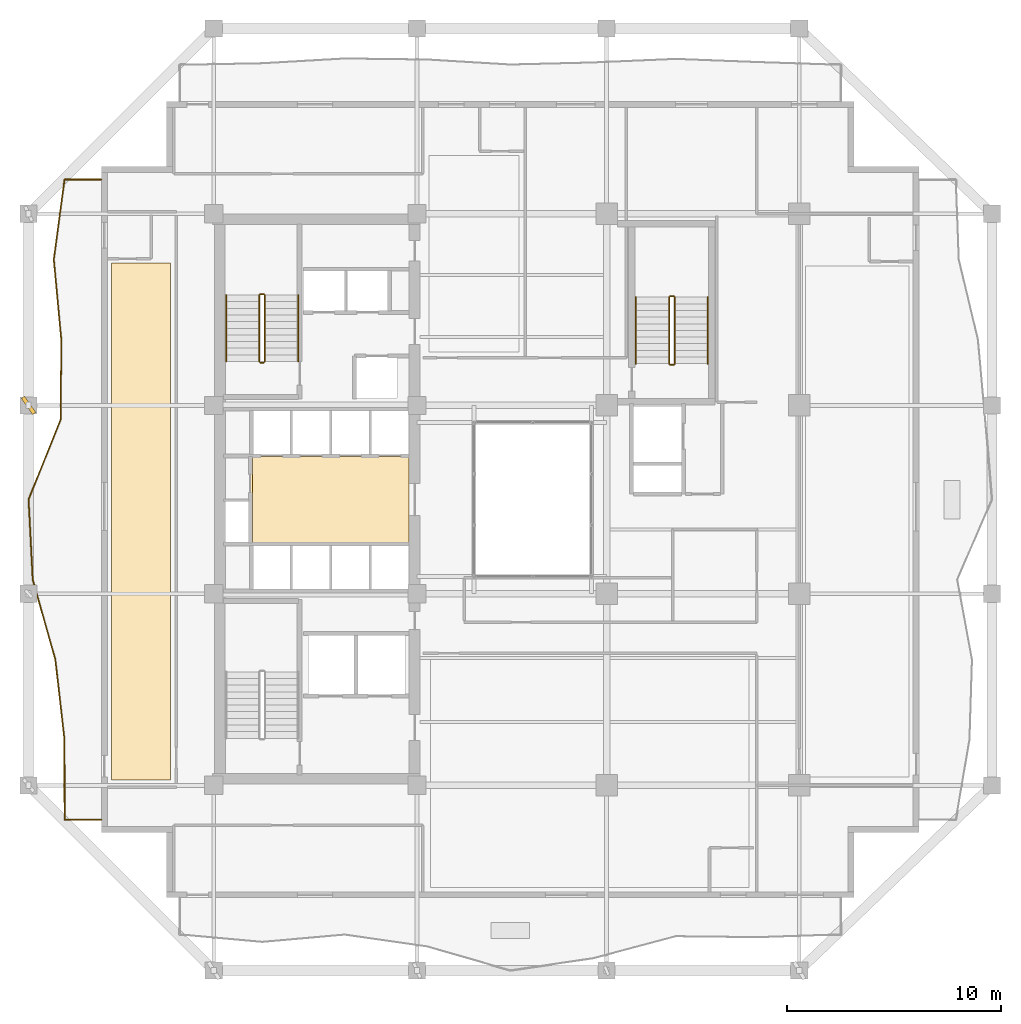
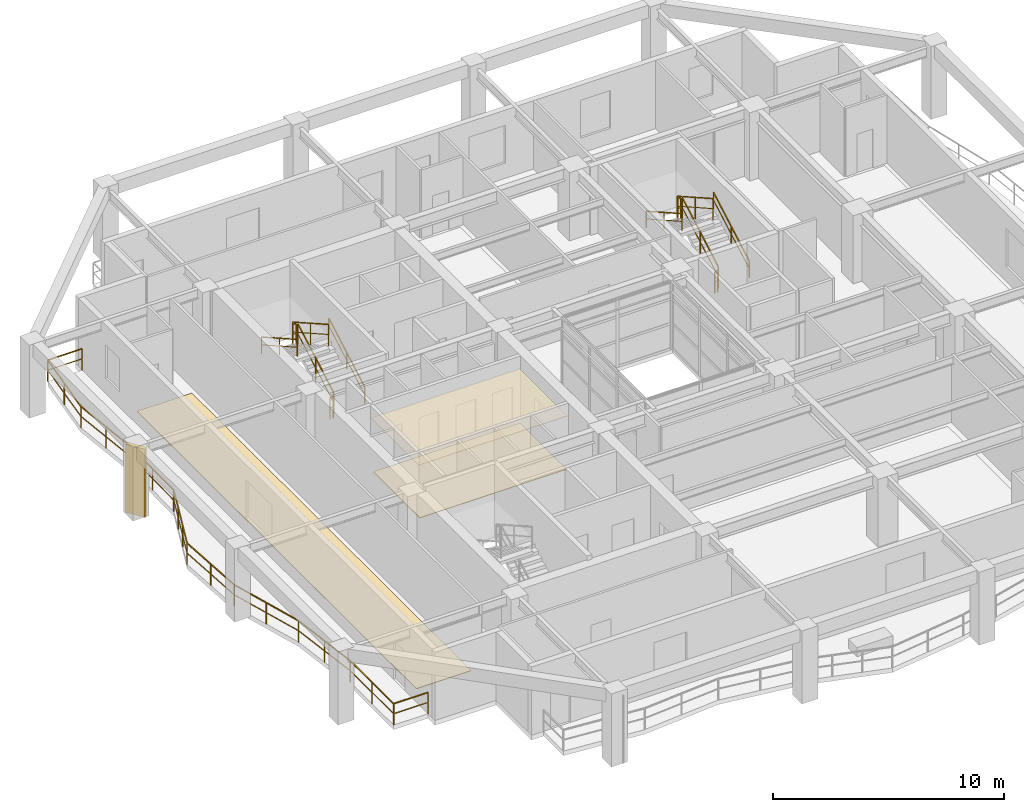
# One storey, part 12 of 14: 13 railings, 3 coverings, 1 shading device.
"""IFC4 building model written with IfcOpenShell, lengths in metres."""

import ifcopenshell
import ifcopenshell.guid

model = None  # the IFC model being written
_history = None  # IfcOwnerHistory: only IFC2X3 demands one
_inside = {}  # id of a spatial element -> (the spatial element, [elements in it])
_under = {}  # id of a project, library or spatial element -> (it, [spatial elements below it])
_declared = {}  # id of a project -> (the project, [libraries it declares])
_typed = {}  # id of a type object -> (the type object, [elements of that type])
_made_of = {}  # id of a material, layer set ... -> (it, [elements and type objects made of it])


def new_model(schema):
    """Start an empty IFC model of exactly this schema.

    Asked for "IFC4X3", IfcOpenShell would pick the latest addendum, in which some entities
    have other attributes; the version numbers below select the first issue.
    IFC2X3 requires an IfcOwnerHistory on every rooted entity: one is made here for all.
    """
    global model, _history
    if schema == "IFC4X3":
        model = ifcopenshell.file(schema_version=(4, 3, 0, 0))
    else:
        model = ifcopenshell.file(schema=schema)
    _inside.clear()
    _under.clear()
    _declared.clear()
    _typed.clear()
    _made_of.clear()
    _history = None
    if model.schema == "IFC2X3":
        org = make("IfcOrganization", Name="unknown")
        user = make(
            "IfcPersonAndOrganization",
            ThePerson=make("IfcPerson", FamilyName="unknown"),
            TheOrganization=org,
        )
        app = make(
            "IfcApplication",
            ApplicationDeveloper=org,
            Version="unknown",
            ApplicationFullName="unknown",
            ApplicationIdentifier="unknown",
        )
        _history = make(
            "IfcOwnerHistory",
            OwningUser=user,
            OwningApplication=app,
            ChangeAction="ADDED",
            CreationDate=0,
        )
    return model


def make(cls, **values):
    """One entity of the class cls with the attributes given. An attribute that is None is left unset."""
    return model.create_entity(
        cls, **{name: value for name, value in values.items() if value is not None}
    )


def rooted(cls, **values):
    """An entity with a GlobalId (a new one), such as an element, a storey or a relation."""
    return make(cls, GlobalId=ifcopenshell.guid.new(), OwnerHistory=_history, **values)


def si_unit(unit_type, name, prefix=None):
    """IfcSIUnit, for example si_unit("LENGTHUNIT", "METRE", prefix="MILLI")."""
    return make("IfcSIUnit", UnitType=unit_type, Prefix=prefix, Name=name)


def assignment(units):
    """IfcUnitAssignment: the units of a project."""
    return None if units is None else make("IfcUnitAssignment", Units=units)


def point(xyz):
    """IfcCartesianPoint."""
    return None if xyz is None else make("IfcCartesianPoint", Coordinates=xyz)


def direction(xyz):
    """IfcDirection."""
    return None if xyz is None else make("IfcDirection", DirectionRatios=xyz)


def frame(location, z_axis=None, x_axis=None):
    """IfcAxis2Placement3D, a coordinate frame: its origin and axes. An axis left out is left unset."""
    return make(
        "IfcAxis2Placement3D",
        Location=point(location),
        Axis=direction(z_axis),
        RefDirection=direction(x_axis),
    )


def frame_2d(location, x_axis=None):
    """IfcAxis2Placement2D, a coordinate frame in the plane: its origin and x axis."""
    return make(
        "IfcAxis2Placement2D", Location=point(location), RefDirection=direction(x_axis)
    )


def origin():
    """The frame at (0, 0, 0) with its axes left unset."""
    return frame((0.0, 0.0, 0.0))


def origin_2d():
    """The frame at (0, 0) in the plane with its x axis left unset."""
    return frame_2d((0.0, 0.0))


def place(relative_to, where):
    """IfcLocalPlacement: puts the frame where relative to a parent placement (None: the world)."""
    return make(
        "IfcLocalPlacement", PlacementRelTo=relative_to, RelativePlacement=where
    )


def context(
    kind, dimensions, precision=None, world=None, true_north=None, identifier=None
):
    """IfcGeometricRepresentationContext, for example the 3D "Model" context."""
    return make(
        "IfcGeometricRepresentationContext",
        ContextIdentifier=identifier,
        ContextType=kind,
        CoordinateSpaceDimension=dimensions,
        Precision=precision,
        WorldCoordinateSystem=world,
        TrueNorth=true_north,
    )


def subcontext(parent, identifier, kind, view, scale=None):
    """IfcGeometricRepresentationSubContext, for example "Body" below "Model"."""
    return make(
        "IfcGeometricRepresentationSubContext",
        ContextIdentifier=identifier,
        ContextType=kind,
        ParentContext=parent,
        TargetScale=scale,
        TargetView=view,
    )


def project(units=None, contexts=None):
    """IfcProject with its units and contexts."""
    return rooted(
        "IfcProject",
        Name="project",
        RepresentationContexts=contexts,
        UnitsInContext=assignment(units),
    )


def spatial(cls, under=None, at=None, **own):
    """A site, building, storey or space (cls), placed at a placement, below another one or the project."""
    s = rooted(cls, ObjectPlacement=at, **own)
    if under is not None:
        _under.setdefault(under.id(), (under, []))[1].append(s)
    return s


def polyline(points):
    """IfcPolyline through the points."""
    return make("IfcPolyline", Points=[point(p) for p in points])


def profile(cls, at=None, kind="AREA", **sizes):
    """A parametric profile (cls). Its sizes go by their IFC names, for example OverallWidth=200.0."""
    return make(cls, ProfileType=kind, Position=at, **sizes)


def rectangle(**sizes):
    """IfcRectangleProfileDef."""
    return profile("IfcRectangleProfileDef", **sizes)


def outline(outer, holes=None, kind="AREA"):
    """IfcArbitraryClosedProfileDef: a profile drawn as a closed curve; with holes, ...WithVoids."""
    if holes is None:
        return make("IfcArbitraryClosedProfileDef", ProfileType=kind, OuterCurve=outer)
    return make(
        "IfcArbitraryProfileDefWithVoids",
        ProfileType=kind,
        OuterCurve=outer,
        InnerCurves=holes,
    )


def extrude(swept, where, along, depth):
    """IfcExtrudedAreaSolid: the profile swept, set in the frame where, extruded along a direction by depth."""
    return make(
        "IfcExtrudedAreaSolid",
        SweptArea=swept,
        Position=where,
        ExtrudedDirection=direction(along),
        Depth=depth,
    )


def shape(context_of_items, identifier, shape_type, items):
    """IfcShapeRepresentation: the items that make up one representation, for example the "Body"."""
    return make(
        "IfcShapeRepresentation",
        ContextOfItems=context_of_items,
        RepresentationIdentifier=identifier,
        RepresentationType=shape_type,
        Items=items,
    )


def material(Name=None, Category=None):
    """IfcMaterial."""
    return make("IfcMaterial", Name=Name, Category=Category)


def layer(
    of_material, thickness, ventilated=None, Name=None, Category=None, Priority=None
):
    """IfcMaterialLayer: one layer of a wall or slab, of a material (None: an air gap)."""
    return make(
        "IfcMaterialLayer",
        Material=of_material,
        LayerThickness=thickness,
        IsVentilated=ventilated,
        Name=Name,
        Category=Category,
        Priority=Priority,
    )


def layer_set(layers, Name=None):
    """IfcMaterialLayerSet."""
    return make("IfcMaterialLayerSet", MaterialLayers=layers, LayerSetName=Name)


def made_of(thing, what):
    """Note that an element or type object is made of a material, layer set ...; save() writes the relation."""
    if what is not None:
        _made_of.setdefault(what.id(), (what, []))[1].append(thing)
    return thing


def type_object(cls, material=None, **own):
    """A type object (cls), such as IfcWallType, which elements share."""
    return made_of(rooted(cls, **own), material)


def element(
    cls,
    number,
    at=None,
    inside=None,
    cuts=None,
    type_object=None,
    material=None,
    context=None,
    identifier="Body",
    shape_type=None,
    held_by="IfcProductDefinitionShape",
    body=None,
    shapes=None,
    **own,
):
    """One element of the class cls, such as IfcWall. Its Tag is "e" and its number.

    at: its placement. inside: the storey or other place that contains it. cuts: it is an
    opening in that element (IfcRelVoidsElement). A single representation is given by context,
    identifier, shape_type and body (its items); several are given by shapes. held_by: the class
    of the entity that holds the representations. save() writes the other relations.
    """
    e = rooted(cls, Tag="e%d" % number, ObjectPlacement=at, **own)
    if body is not None:
        shapes = [shape(context, identifier, shape_type, body)]
    if shapes is not None:
        e.Representation = make(held_by, Representations=shapes)
    if inside is not None:
        _inside.setdefault(inside.id(), (inside, []))[1].append(e)
    if cuts is not None:
        rooted(
            "IfcRelVoidsElement", RelatingBuildingElement=cuts, RelatedOpeningElement=e
        )
    if type_object is not None:
        _typed.setdefault(type_object.id(), (type_object, []))[1].append(e)
    return made_of(e, material)


def aggregate(whole, parts):
    """IfcRelAggregates: a whole, such as a stair, and the parts it consists of."""
    return rooted("IfcRelAggregates", RelatingObject=whole, RelatedObjects=parts)


def save(model, path):
    """Write the relations noted so far, then the file.

    IfcRelAggregates (storeys below a building ...), IfcRelContainedInSpatialStructure (elements
    in a storey), IfcRelDefinesByType, IfcRelAssociatesMaterial and IfcRelDeclares: one each for
    every whole, place, type object, material and project.
    """
    for whole, parts in _under.values():
        aggregate(whole, parts)
    for where, things in _inside.values():
        rooted(
            "IfcRelContainedInSpatialStructure",
            RelatedElements=things,
            RelatingStructure=where,
        )
    for kind, things in _typed.values():
        rooted("IfcRelDefinesByType", RelatedObjects=things, RelatingType=kind)
    for what, things in _made_of.values():
        rooted("IfcRelAssociatesMaterial", RelatedObjects=things, RelatingMaterial=what)
    for by, libraries in _declared.values():
        rooted("IfcRelDeclares", RelatingContext=by, RelatedDefinitions=libraries)
    model.write(path)


model = new_model("IFC4")

# Units and contexts
model_context = context("Model", 3, precision=1e-05, world=origin(), true_north=direction((0.0, 1.0)))
body_context = subcontext(model_context, "Body", "Model", "MODEL_VIEW")
ifc_project = project(units=[si_unit("LENGTHUNIT", "METRE"), si_unit("AREAUNIT", "SQUARE_METRE"), si_unit("VOLUMEUNIT", "CUBIC_METRE"), si_unit("PLANEANGLEUNIT", "RADIAN"), si_unit("MASSUNIT", "GRAM", prefix="KILO")], contexts=[model_context])

# Site, building, storey
site_placement = place(None, origin())
site = spatial("IfcSite", under=ifc_project, at=site_placement, CompositionType="ELEMENT")
building_placement = place(site_placement, origin())
building = spatial("IfcBuilding", under=site, at=building_placement, Name="Kundavana Baori Tower", CompositionType="ELEMENT")
storey_placement = place(building_placement, frame((0.0, 0.0, 104.0)))
storey = spatial("IfcBuildingStorey", under=building, at=storey_placement, Name="L24", CompositionType="ELEMENT", Elevation=104.0)

# Coverings
ifc_material_1 = material(Name="Perforated Acoustic Mineral Fibre Ceiling Board")
ifc_layer_1 = layer(ifc_material_1, 0.02490234375, Name="COV-INT-CEIL")
ifc_layer_set_1 = layer_set([ifc_layer_1], Name="Perforated Acoustic Mineral Fibre Ceiling Board")
covering_type_1 = type_object("IfcCoveringType", Name="COV-INT-CEIL", PredefinedType="CEILING", material=ifc_layer_set_1)
covering_1_placement = place(storey_placement, frame((0.0, 0.0, 2.85009765625)))
element("IfcCovering", 1, at=covering_1_placement, inside=storey, type_object=covering_type_1, Name="L24 Core Lift Lobby Acoustic Ceiling", PredefinedType="CEILING", context=body_context, shape_type="SweptSolid", body=[
    extrude(outline(polyline([(17.159912109375, 26.52001953125), (24.580078125, 26.52001953125), (24.580078125, 30.639892578125), (17.159912109375, 30.639892578125), (17.159912109375, 26.52001953125)])), origin(), (0.0, 0.0, 1.0), 0.02490234375),
])
ifc_material_2 = material(Name="Honed Kota Stone and Terrazzo Flooring", Category="masonry")
ifc_layer_2 = layer(ifc_material_2, 0.030029296875, Name="COV-INT-FLR")
ifc_layer_set_2 = layer_set([ifc_layer_2], Name="Honed Kota Stone and Terrazzo Flooring")
covering_type_2 = type_object("IfcCoveringType", Name="COV-INT-FLR", PredefinedType="FLOORING", material=ifc_layer_set_2)
covering_2_placement = place(storey_placement, origin())
element("IfcCovering", 2, at=covering_2_placement, inside=storey, type_object=covering_type_2, Name="L24 Room Finished Stone Flooring 1", PredefinedType="FLOORING", context=body_context, shape_type="SweptSolid", body=[
    extrude(outline(polyline([(10.679931640625, 15.5), (13.419921875, 15.5), (13.419921875, 39.64990234375), (10.679931640625, 39.64990234375), (10.679931640625, 15.5)])), origin(), (0.0, 0.0, 1.0), 0.030029296875),
])
covering_3_placement = place(storey_placement, origin())
element("IfcCovering", 3, at=covering_3_placement, inside=storey, type_object=covering_type_2, Name="L24 Core Lift Lobby Kota Stone Flooring", PredefinedType="FLOORING", context=body_context, shape_type="SweptSolid", body=[
    extrude(outline(polyline([(17.25, 26.580078125), (24.580078125, 26.580078125), (24.580078125, 30.60009765625), (17.25, 30.60009765625), (17.25, 26.580078125)])), origin(), (0.0, 0.0, 1.0), 0.030029296875),
])

# Railings
ifc_material_3 = material(Name="Architectural Patinated Bronze Metalwork")
railing_type_1 = type_object("IfcRailingType", Name="RL-BAL-1150", PredefinedType="BALUSTRADE", material=ifc_material_3)
railing_1_placement = place(storey_placement, frame((10.199951171875, 13.64990234375, 0.0)))
element("IfcRailing", 4, at=railing_1_placement, inside=storey, type_object=railing_type_1, Name="L24 Loggia Balcony Balustrade W", PredefinedType="BALUSTRADE", context=body_context, shape_type="SweptSolid", body=[
    extrude(rectangle(XDim=0.048095703125, YDim=0.048095703125, at=origin_2d()), frame((0.0, 0.0, 1.1259765625), z_axis=(-1.0, 0.0, 0.0), x_axis=(0.0, -1.0, 0.0)), (0.0, 0.0, 1.0), 1.719970703125),
    extrude(rectangle(XDim=0.03125, YDim=0.03125, at=origin_2d()), frame((0.0, 0.0, 0.597900390625), z_axis=(-1.0, 0.0, 0.0), x_axis=(0.0, -1.0, 0.0)), (0.0, 0.0, 1.0), 1.719970703125),
    extrude(rectangle(XDim=0.048095703125, YDim=0.048095703125, at=origin_2d()), frame((-1.719970703125, 0.0, 1.1259765625), z_axis=(-0.000783954812, 0.999999692707, 0.0), x_axis=(-0.999999692707, -0.000783954812, 0.0)), (0.0, 0.0, 1.0), 3.737060546875),
    extrude(rectangle(XDim=0.03125, YDim=0.03125, at=origin_2d()), frame((-1.719970703125, 0.0, 0.597900390625), z_axis=(-0.000783954812, 0.999999692707, 0.0), x_axis=(-0.999999692707, -0.000783954812, 0.0)), (0.0, 0.0, 1.0), 3.737060546875),
    extrude(rectangle(XDim=0.048095703125, YDim=0.048095703125, at=origin_2d()), frame((-1.722900390625, 3.737060546875, 1.1259765625), z_axis=(-0.113749725155, 0.993509436305, 0.0), x_axis=(-0.993509436305, -0.113749725155, 0.0)), (0.0, 0.0, 1.0), 3.762451171875),
    extrude(rectangle(XDim=0.03125, YDim=0.03125, at=origin_2d()), frame((-1.722900390625, 3.737060546875, 0.597900390625), z_axis=(-0.113749725155, 0.993509436305, 0.0), x_axis=(-0.993509436305, -0.113749725155, 0.0)), (0.0, 0.0, 1.0), 3.762451171875),
    extrude(rectangle(XDim=0.048095703125, YDim=0.048095703125, at=origin_2d()), frame((-2.15087890625, 7.47509765625, 1.1259765625), z_axis=(-0.271730440322, 0.96237340352, 0.0), x_axis=(-0.96237340352, -0.271730440322, 0.0)), (0.0, 0.0, 1.0), 3.883056640625),
    extrude(rectangle(XDim=0.03125, YDim=0.03125, at=origin_2d()), frame((-2.15087890625, 7.47509765625, 0.597900390625), z_axis=(-0.271730440322, 0.96237340352, 0.0), x_axis=(-0.96237340352, -0.271730440322, 0.0)), (0.0, 0.0, 1.0), 3.883056640625),
    extrude(rectangle(XDim=0.048095703125, YDim=0.048095703125, at=origin_2d()), frame((-3.2060546875, 11.212158203125, 1.1259765625), z_axis=(-0.051788551345, 0.99865807259, 0.0), x_axis=(-0.99865807259, -0.051788551345, 0.0)), (0.0, 0.0, 1.0), 3.7431640625),
    extrude(rectangle(XDim=0.03125, YDim=0.03125, at=origin_2d()), frame((-3.2060546875, 11.212158203125, 0.597900390625), z_axis=(-0.051788551345, 0.99865807259, 0.0), x_axis=(-0.99865807259, -0.051788551345, 0.0)), (0.0, 0.0, 1.0), 3.7431640625),
    extrude(rectangle(XDim=0.048095703125, YDim=0.048095703125, at=origin_2d()), frame((-3.39990234375, 14.9501953125, 1.1259765625), z_axis=(0.37251940051, 0.928024404983, 0.0), x_axis=(-0.928024404983, 0.37251940051, 0.0)), (0.0, 0.0, 1.0), 4.026611328125),
    extrude(rectangle(XDim=0.03125, YDim=0.03125, at=origin_2d()), frame((-3.39990234375, 14.9501953125, 0.597900390625), z_axis=(0.37251940051, 0.928024404983, 0.0), x_axis=(-0.928024404983, 0.37251940051, 0.0)), (0.0, 0.0, 1.0), 4.026611328125),
    extrude(rectangle(XDim=0.048095703125, YDim=0.048095703125, at=origin_2d()), frame((-1.89990234375, 18.68701171875, 1.1259765625), z_axis=(0.006922961258, 0.999976036017, 0.0), x_axis=(-0.999976036017, 0.006922961258, 0.0)), (0.0, 0.0, 1.0), 3.738037109375),
    extrude(rectangle(XDim=0.03125, YDim=0.03125, at=origin_2d()), frame((-1.89990234375, 18.68701171875, 0.597900390625), z_axis=(0.006922961258, 0.999976036017, 0.0), x_axis=(-0.999976036017, 0.006922961258, 0.0)), (0.0, 0.0, 1.0), 3.738037109375),
    extrude(rectangle(XDim=0.048095703125, YDim=0.048095703125, at=origin_2d()), frame((-1.8740234375, 22.425048828125, 1.1259765625), z_axis=(-0.092951806383, 0.995670609032, 0.0), x_axis=(-0.995670609032, -0.092951806383, 0.0)), (0.0, 0.0, 1.0), 3.75341796875),
    extrude(rectangle(XDim=0.03125, YDim=0.03125, at=origin_2d()), frame((-1.8740234375, 22.425048828125, 0.597900390625), z_axis=(-0.092951806383, 0.995670609032, 0.0), x_axis=(-0.995670609032, -0.092951806383, 0.0)), (0.0, 0.0, 1.0), 3.75341796875),
    extrude(rectangle(XDim=0.048095703125, YDim=0.048095703125, at=origin_2d()), frame((-2.222900390625, 26.162109375, 1.1259765625), z_axis=(0.13334232144, 0.991070040569, 0.0), x_axis=(-0.991070040569, 0.13334232144, 0.0)), (0.0, 0.0, 1.0), 3.771728515625),
    extrude(rectangle(XDim=0.03125, YDim=0.03125, at=origin_2d()), frame((-2.222900390625, 26.162109375, 0.597900390625), z_axis=(0.13334232144, 0.991070040569, 0.0), x_axis=(-0.991070040569, 0.13334232144, 0.0)), (0.0, 0.0, 1.0), 3.771728515625),
    extrude(rectangle(XDim=0.048095703125, YDim=0.048095703125, at=origin_2d()), frame((-1.719970703125, 29.900146484375, 1.1259765625), z_axis=(1.0, 0.0, 0.0), x_axis=(0.0, 1.0, 0.0)), (0.0, 0.0, 1.0), 1.719970703125),
    extrude(rectangle(XDim=0.03125, YDim=0.03125, at=origin_2d()), frame((-1.719970703125, 29.900146484375, 0.597900390625), z_axis=(1.0, 0.0, 0.0), x_axis=(0.0, 1.0, 0.0)), (0.0, 0.0, 1.0), 1.719970703125),
    extrude(rectangle(XDim=0.0419921875, YDim=0.0419921875, at=origin_2d()), origin(), (0.0, 0.0, 1.0), 1.101806640625),
    extrude(rectangle(XDim=0.0419921875, YDim=0.0419921875, at=origin_2d()), frame((-1.719970703125, 0.0, 0.0)), (0.0, 0.0, 1.0), 1.101806640625),
    extrude(rectangle(XDim=0.0419921875, YDim=0.0419921875, at=origin_2d()), frame((-1.721435546875, 1.86865234375, 0.0)), (0.0, 0.0, 1.0), 1.101806640625),
    extrude(rectangle(XDim=0.0419921875, YDim=0.0419921875, at=origin_2d()), frame((-1.722900390625, 3.737060546875, 0.0)), (0.0, 0.0, 1.0), 1.101806640625),
    extrude(rectangle(XDim=0.0419921875, YDim=0.0419921875, at=origin_2d()), frame((-1.93701171875, 5.60595703125, 0.0)), (0.0, 0.0, 1.0), 1.101806640625),
    extrude(rectangle(XDim=0.0419921875, YDim=0.0419921875, at=origin_2d()), frame((-2.15087890625, 7.47509765625, 0.0)), (0.0, 0.0, 1.0), 1.101806640625),
    extrude(rectangle(XDim=0.0419921875, YDim=0.0419921875, at=origin_2d()), frame((-2.678466796875, 9.34375, 0.0)), (0.0, 0.0, 1.0), 1.101806640625),
    extrude(rectangle(XDim=0.0419921875, YDim=0.0419921875, at=origin_2d()), frame((-3.2060546875, 11.212158203125, 0.0)), (0.0, 0.0, 1.0), 1.101806640625),
    extrude(rectangle(XDim=0.0419921875, YDim=0.0419921875, at=origin_2d()), frame((-3.302978515625, 13.0810546875, 0.0)), (0.0, 0.0, 1.0), 1.101806640625),
    extrude(rectangle(XDim=0.0419921875, YDim=0.0419921875, at=origin_2d()), frame((-3.39990234375, 14.9501953125, 0.0)), (0.0, 0.0, 1.0), 1.101806640625),
    extrude(rectangle(XDim=0.0419921875, YDim=0.0419921875, at=origin_2d()), frame((-2.89990234375, 16.19580078125, 0.0)), (0.0, 0.0, 1.0), 1.101806640625),
    extrude(rectangle(XDim=0.0419921875, YDim=0.0419921875, at=origin_2d()), frame((-2.39990234375, 17.44140625, 0.0)), (0.0, 0.0, 1.0), 1.101806640625),
    extrude(rectangle(XDim=0.0419921875, YDim=0.0419921875, at=origin_2d()), frame((-1.89990234375, 18.68701171875, 0.0)), (0.0, 0.0, 1.0), 1.101806640625),
    extrude(rectangle(XDim=0.0419921875, YDim=0.0419921875, at=origin_2d()), frame((-1.886962890625, 20.55615234375, 0.0)), (0.0, 0.0, 1.0), 1.101806640625),
    extrude(rectangle(XDim=0.0419921875, YDim=0.0419921875, at=origin_2d()), frame((-1.8740234375, 22.425048828125, 0.0)), (0.0, 0.0, 1.0), 1.101806640625),
    extrude(rectangle(XDim=0.0419921875, YDim=0.0419921875, at=origin_2d()), frame((-2.04833984375, 24.29345703125, 0.0)), (0.0, 0.0, 1.0), 1.101806640625),
    extrude(rectangle(XDim=0.0419921875, YDim=0.0419921875, at=origin_2d()), frame((-2.222900390625, 26.162109375, 0.0)), (0.0, 0.0, 1.0), 1.101806640625),
    extrude(rectangle(XDim=0.0419921875, YDim=0.0419921875, at=origin_2d()), frame((-1.971435546875, 28.03125, 0.0)), (0.0, 0.0, 1.0), 1.101806640625),
    extrude(rectangle(XDim=0.0419921875, YDim=0.0419921875, at=origin_2d()), frame((-1.719970703125, 29.900146484375, 0.0)), (0.0, 0.0, 1.0), 1.101806640625),
    extrude(rectangle(XDim=0.0419921875, YDim=0.0419921875, at=origin_2d()), frame((0.0, 29.900146484375, 0.0)), (0.0, 0.0, 1.0), 1.101806640625),
])
ifc_material_4 = material(Name="Architectural Patinated Bronze Metalwork")
railing_type_2 = type_object("IfcRailingType", Name="RL-GRD-1150", PredefinedType="GUARDRAIL", material=ifc_material_4)
railing_2_placement = place(storey_placement, frame((17.840087890625, 35.050048828125, 0.175048828125)))
element("IfcRailing", 5, at=railing_2_placement, inside=storey, type_object=railing_type_2, Name="L24 ST2 stair guard 1", PredefinedType="GUARDRAIL", context=body_context, shape_type="SweptSolid", body=[
    extrude(rectangle(XDim=0.048095703125, YDim=0.048095703125, at=origin_2d()), frame((0.0, 0.0, 1.1259765625), z_axis=(0.0, 0.870814364268, 0.491611984175), x_axis=(-1.0, 0.0, 0.0)), (0.0, 0.0, 1.0), 3.559814453125),
    extrude(rectangle(XDim=0.03125, YDim=0.03125, at=origin_2d()), frame((0.0, 0.0, 0.597900390625), z_axis=(0.0, 0.870814364268, 0.491611984175), x_axis=(-1.0, 0.0, 0.0)), (0.0, 0.0, 1.0), 3.559814453125),
    extrude(rectangle(XDim=0.0419921875, YDim=0.0419921875, at=origin_2d()), origin(), (0.0, 0.0, 1.0), 1.101806640625),
    extrude(rectangle(XDim=0.0419921875, YDim=0.0419921875, at=origin_2d()), frame((0.0, 1.5498046875, 0.875)), (0.0, 0.0, 1.0), 1.101806640625),
    extrude(rectangle(XDim=0.0419921875, YDim=0.0419921875, at=origin_2d()), frame((0.0, 3.099853515625, 1.75)), (0.0, 0.0, 1.0), 1.101806640625),
])
railing_3_placement = place(storey_placement, frame((17.7900390625, 38.199951171875, 1.925048828125)))
element("IfcRailing", 6, at=railing_3_placement, inside=storey, type_object=railing_type_2, Name="L24 ST2 stair guard 2", PredefinedType="GUARDRAIL", context=body_context, shape_type="SweptSolid", body=[
    extrude(rectangle(XDim=0.048095703125, YDim=0.048095703125, at=origin_2d()), frame((0.0, 0.0, 1.1259765625), z_axis=(-1.0, 0.0, 0.0), x_axis=(0.0, -1.0, 0.0)), (0.0, 0.0, 1.0), 0.16015625),
    extrude(rectangle(XDim=0.03125, YDim=0.03125, at=origin_2d()), frame((0.0, 0.0, 0.597900390625), z_axis=(-1.0, 0.0, 0.0), x_axis=(0.0, -1.0, 0.0)), (0.0, 0.0, 1.0), 0.16015625),
    extrude(rectangle(XDim=0.0419921875, YDim=0.0419921875, at=origin_2d()), origin(), (0.0, 0.0, 1.0), 1.101806640625),
    extrude(rectangle(XDim=0.0419921875, YDim=0.0419921875, at=origin_2d()), frame((-0.16015625, 0.0, 0.0)), (0.0, 0.0, 1.0), 1.101806640625),
])
railing_4_placement = place(storey_placement, frame((17.580078125, 38.14990234375, 2.10009765625)))
element("IfcRailing", 7, at=railing_4_placement, inside=storey, type_object=railing_type_2, Name="L24 ST2 stair guard 3", PredefinedType="GUARDRAIL", context=body_context, shape_type="SweptSolid", body=[
    extrude(rectangle(XDim=0.048095703125, YDim=0.048095703125, at=origin_2d()), frame((0.0, 0.0, 1.1259765625), z_axis=(0.0, -0.870814364268, 0.491611984175), x_axis=(1.0, 0.0, 0.0)), (0.0, 0.0, 1.0), 3.559814453125),
    extrude(rectangle(XDim=0.03125, YDim=0.03125, at=origin_2d()), frame((0.0, 0.0, 0.597900390625), z_axis=(0.0, -0.870814364268, 0.491611984175), x_axis=(1.0, 0.0, 0.0)), (0.0, 0.0, 1.0), 3.559814453125),
    extrude(rectangle(XDim=0.0419921875, YDim=0.0419921875, at=origin_2d()), origin(), (0.0, 0.0, 1.0), 1.101806640625),
    extrude(rectangle(XDim=0.0419921875, YDim=0.0419921875, at=origin_2d()), frame((0.0, -1.5498046875, 0.875)), (0.0, 0.0, 1.0), 1.101806640625),
    extrude(rectangle(XDim=0.0419921875, YDim=0.0419921875, at=origin_2d()), frame((0.0, -3.099853515625, 1.75)), (0.0, 0.0, 1.0), 1.101806640625),
])
railing_5_placement = place(storey_placement, frame((17.7900390625, 35.0, 0.0)))
element("IfcRailing", 8, at=railing_5_placement, inside=storey, type_object=railing_type_2, Name="L24 ST2 stair guard 4", PredefinedType="GUARDRAIL", context=body_context, shape_type="SweptSolid", body=[
    extrude(rectangle(XDim=0.048095703125, YDim=0.048095703125, at=origin_2d()), frame((0.0, 0.0, 1.1259765625), z_axis=(-1.0, 0.0, 0.0), x_axis=(0.0, -1.0, 0.0)), (0.0, 0.0, 1.0), 0.16015625),
    extrude(rectangle(XDim=0.03125, YDim=0.03125, at=origin_2d()), frame((0.0, 0.0, 0.597900390625), z_axis=(-1.0, 0.0, 0.0), x_axis=(0.0, -1.0, 0.0)), (0.0, 0.0, 1.0), 0.16015625),
    extrude(rectangle(XDim=0.0419921875, YDim=0.0419921875, at=origin_2d()), origin(), (0.0, 0.0, 1.0), 1.101806640625),
    extrude(rectangle(XDim=0.0419921875, YDim=0.0419921875, at=origin_2d()), frame((-0.16015625, 0.0, 0.0)), (0.0, 0.0, 1.0), 1.101806640625),
])
railing_6_placement = place(storey_placement, frame((36.97998046875, 34.949951171875, 0.175048828125)))
element("IfcRailing", 9, at=railing_6_placement, inside=storey, type_object=railing_type_2, Name="L24 ST3 stair guard 1", PredefinedType="GUARDRAIL", context=body_context, shape_type="SweptSolid", body=[
    extrude(rectangle(XDim=0.048095703125, YDim=0.048095703125, at=origin_2d()), frame((0.0, 0.0, 1.1259765625), z_axis=(0.0, 0.870830938388, 0.491582624537), x_axis=(-1.0, 0.0, 0.0)), (0.0, 0.0, 1.0), 3.559814453125),
    extrude(rectangle(XDim=0.03125, YDim=0.03125, at=origin_2d()), frame((0.0, 0.0, 0.597900390625), z_axis=(0.0, 0.870830938388, 0.491582624537), x_axis=(-1.0, 0.0, 0.0)), (0.0, 0.0, 1.0), 3.559814453125),
    extrude(rectangle(XDim=0.0419921875, YDim=0.0419921875, at=origin_2d()), origin(), (0.0, 0.0, 1.0), 1.101806640625),
    extrude(rectangle(XDim=0.0419921875, YDim=0.0419921875, at=origin_2d()), frame((0.0, 1.550048828125, 0.875)), (0.0, 0.0, 1.0), 1.101806640625),
    extrude(rectangle(XDim=0.0419921875, YDim=0.0419921875, at=origin_2d()), frame((0.0, 3.10009765625, 1.75)), (0.0, 0.0, 1.0), 1.101806640625),
])
railing_7_placement = place(storey_placement, frame((36.929931640625, 38.10009765625, 1.925048828125)))
element("IfcRailing", 10, at=railing_7_placement, inside=storey, type_object=railing_type_2, Name="L24 ST3 stair guard 2", PredefinedType="GUARDRAIL", context=body_context, shape_type="SweptSolid", body=[
    extrude(rectangle(XDim=0.048095703125, YDim=0.048095703125, at=origin_2d()), frame((0.0, 0.0, 1.1259765625), z_axis=(-1.0, 0.0, 0.0), x_axis=(0.0, -1.0, 0.0)), (0.0, 0.0, 1.0), 0.159912109375),
    extrude(rectangle(XDim=0.03125, YDim=0.03125, at=origin_2d()), frame((0.0, 0.0, 0.597900390625), z_axis=(-1.0, 0.0, 0.0), x_axis=(0.0, -1.0, 0.0)), (0.0, 0.0, 1.0), 0.159912109375),
    extrude(rectangle(XDim=0.0419921875, YDim=0.0419921875, at=origin_2d()), origin(), (0.0, 0.0, 1.0), 1.101806640625),
    extrude(rectangle(XDim=0.0419921875, YDim=0.0419921875, at=origin_2d()), frame((-0.159912109375, 0.0, 0.0)), (0.0, 0.0, 1.0), 1.101806640625),
])
railing_8_placement = place(storey_placement, frame((36.719970703125, 38.050048828125, 2.10009765625)))
element("IfcRailing", 11, at=railing_8_placement, inside=storey, type_object=railing_type_2, Name="L24 ST3 stair guard 3", PredefinedType="GUARDRAIL", context=body_context, shape_type="SweptSolid", body=[
    extrude(rectangle(XDim=0.048095703125, YDim=0.048095703125, at=origin_2d()), frame((0.0, 0.0, 1.1259765625), z_axis=(0.0, -0.870830938388, 0.491582624537), x_axis=(1.0, 0.0, 0.0)), (0.0, 0.0, 1.0), 3.559814453125),
    extrude(rectangle(XDim=0.03125, YDim=0.03125, at=origin_2d()), frame((0.0, 0.0, 0.597900390625), z_axis=(0.0, -0.870830938388, 0.491582624537), x_axis=(1.0, 0.0, 0.0)), (0.0, 0.0, 1.0), 3.559814453125),
    extrude(rectangle(XDim=0.0419921875, YDim=0.0419921875, at=origin_2d()), origin(), (0.0, 0.0, 1.0), 1.101806640625),
    extrude(rectangle(XDim=0.0419921875, YDim=0.0419921875, at=origin_2d()), frame((0.0, -1.550048828125, 0.875)), (0.0, 0.0, 1.0), 1.101806640625),
    extrude(rectangle(XDim=0.0419921875, YDim=0.0419921875, at=origin_2d()), frame((0.0, -3.10009765625, 1.75)), (0.0, 0.0, 1.0), 1.101806640625),
])
railing_9_placement = place(storey_placement, frame((36.929931640625, 34.89990234375, 0.0)))
element("IfcRailing", 12, at=railing_9_placement, inside=storey, type_object=railing_type_2, Name="L24 ST3 stair guard 4", PredefinedType="GUARDRAIL", context=body_context, shape_type="SweptSolid", body=[
    extrude(rectangle(XDim=0.048095703125, YDim=0.048095703125, at=origin_2d()), frame((0.0, 0.0, 1.1259765625), z_axis=(-1.0, 0.0, 0.0), x_axis=(0.0, -1.0, 0.0)), (0.0, 0.0, 1.0), 0.159912109375),
    extrude(rectangle(XDim=0.03125, YDim=0.03125, at=origin_2d()), frame((0.0, 0.0, 0.597900390625), z_axis=(-1.0, 0.0, 0.0), x_axis=(0.0, -1.0, 0.0)), (0.0, 0.0, 1.0), 0.159912109375),
    extrude(rectangle(XDim=0.0419921875, YDim=0.0419921875, at=origin_2d()), origin(), (0.0, 0.0, 1.0), 1.101806640625),
    extrude(rectangle(XDim=0.0419921875, YDim=0.0419921875, at=origin_2d()), frame((-0.159912109375, 0.0, 0.0)), (0.0, 0.0, 1.0), 1.101806640625),
])
ifc_material_5 = material(Name="Architectural Patinated Bronze Metalwork")
railing_type_3 = type_object("IfcRailingType", Name="RL-HND-920", PredefinedType="HANDRAIL", material=ifc_material_5)
railing_10_placement = place(storey_placement, frame((19.389892578125, 35.050048828125, 0.175048828125)))
element("IfcRailing", 13, at=railing_10_placement, inside=storey, type_object=railing_type_3, Name="L24 ST2 stair handrail 1", PredefinedType="HANDRAIL", context=body_context, shape_type="SweptSolid", body=[
    extrude(rectangle(XDim=0.048095703125, YDim=0.048095703125, at=origin_2d()), frame((0.0, 0.0, 0.8759765625), z_axis=(0.0, 0.870814364268, 0.491611984175), x_axis=(-1.0, 0.0, 0.0)), (0.0, 0.0, 1.0), 3.559814453125),
    extrude(rectangle(XDim=0.03125, YDim=0.03125, at=origin_2d()), frame((0.0, 0.0, 0.468017578125), z_axis=(0.0, 0.870814364268, 0.491611984175), x_axis=(-1.0, 0.0, 0.0)), (0.0, 0.0, 1.0), 3.559814453125),
    extrude(rectangle(XDim=0.0419921875, YDim=0.0419921875, at=origin_2d()), origin(), (0.0, 0.0, 1.0), 0.851806640625),
    extrude(rectangle(XDim=0.0419921875, YDim=0.0419921875, at=origin_2d()), frame((0.0, 1.5498046875, 0.875)), (0.0, 0.0, 1.0), 0.851806640625),
    extrude(rectangle(XDim=0.0419921875, YDim=0.0419921875, at=origin_2d()), frame((0.0, 3.099853515625, 1.75)), (0.0, 0.0, 1.0), 0.851806640625),
])
railing_11_placement = place(storey_placement, frame((16.030029296875, 38.14990234375, 2.10009765625)))
element("IfcRailing", 14, at=railing_11_placement, inside=storey, type_object=railing_type_3, Name="L24 ST2 stair handrail 2", PredefinedType="HANDRAIL", context=body_context, shape_type="SweptSolid", body=[
    extrude(rectangle(XDim=0.048095703125, YDim=0.048095703125, at=origin_2d()), frame((0.0, 0.0, 0.8759765625), z_axis=(0.0, -0.870814364268, 0.491611984175), x_axis=(1.0, 0.0, 0.0)), (0.0, 0.0, 1.0), 3.559814453125),
    extrude(rectangle(XDim=0.03125, YDim=0.03125, at=origin_2d()), frame((0.0, 0.0, 0.468017578125), z_axis=(0.0, -0.870814364268, 0.491611984175), x_axis=(1.0, 0.0, 0.0)), (0.0, 0.0, 1.0), 3.559814453125),
    extrude(rectangle(XDim=0.0419921875, YDim=0.0419921875, at=origin_2d()), origin(), (0.0, 0.0, 1.0), 0.851806640625),
    extrude(rectangle(XDim=0.0419921875, YDim=0.0419921875, at=origin_2d()), frame((0.0, -1.5498046875, 0.875)), (0.0, 0.0, 1.0), 0.851806640625),
    extrude(rectangle(XDim=0.0419921875, YDim=0.0419921875, at=origin_2d()), frame((0.0, -3.099853515625, 1.75)), (0.0, 0.0, 1.0), 0.851806640625),
])
railing_12_placement = place(storey_placement, frame((38.530029296875, 34.949951171875, 0.175048828125)))
element("IfcRailing", 15, at=railing_12_placement, inside=storey, type_object=railing_type_3, Name="L24 ST3 stair handrail 1", PredefinedType="HANDRAIL", context=body_context, shape_type="SweptSolid", body=[
    extrude(rectangle(XDim=0.048095703125, YDim=0.048095703125, at=origin_2d()), frame((0.0, 0.0, 0.8759765625), z_axis=(0.0, 0.870830938388, 0.491582624537), x_axis=(-1.0, 0.0, 0.0)), (0.0, 0.0, 1.0), 3.559814453125),
    extrude(rectangle(XDim=0.03125, YDim=0.03125, at=origin_2d()), frame((0.0, 0.0, 0.468017578125), z_axis=(0.0, 0.870830938388, 0.491582624537), x_axis=(-1.0, 0.0, 0.0)), (0.0, 0.0, 1.0), 3.559814453125),
    extrude(rectangle(XDim=0.0419921875, YDim=0.0419921875, at=origin_2d()), origin(), (0.0, 0.0, 1.0), 0.851806640625),
    extrude(rectangle(XDim=0.0419921875, YDim=0.0419921875, at=origin_2d()), frame((0.0, 1.550048828125, 0.875)), (0.0, 0.0, 1.0), 0.851806640625),
    extrude(rectangle(XDim=0.0419921875, YDim=0.0419921875, at=origin_2d()), frame((0.0, 3.10009765625, 1.75)), (0.0, 0.0, 1.0), 0.851806640625),
])
railing_13_placement = place(storey_placement, frame((35.169921875, 38.050048828125, 2.10009765625)))
element("IfcRailing", 16, at=railing_13_placement, inside=storey, type_object=railing_type_3, Name="L24 ST3 stair handrail 2", PredefinedType="HANDRAIL", context=body_context, shape_type="SweptSolid", body=[
    extrude(rectangle(XDim=0.048095703125, YDim=0.048095703125, at=origin_2d()), frame((0.0, 0.0, 0.8759765625), z_axis=(0.0, -0.870830938388, 0.491582624537), x_axis=(1.0, 0.0, 0.0)), (0.0, 0.0, 1.0), 3.559814453125),
    extrude(rectangle(XDim=0.03125, YDim=0.03125, at=origin_2d()), frame((0.0, 0.0, 0.468017578125), z_axis=(0.0, -0.870830938388, 0.491582624537), x_axis=(1.0, 0.0, 0.0)), (0.0, 0.0, 1.0), 3.559814453125),
    extrude(rectangle(XDim=0.0419921875, YDim=0.0419921875, at=origin_2d()), origin(), (0.0, 0.0, 1.0), 0.851806640625),
    extrude(rectangle(XDim=0.0419921875, YDim=0.0419921875, at=origin_2d()), frame((0.0, -1.550048828125, 0.875)), (0.0, 0.0, 1.0), 0.851806640625),
    extrude(rectangle(XDim=0.0419921875, YDim=0.0419921875, at=origin_2d()), frame((0.0, -3.10009765625, 1.75)), (0.0, 0.0, 1.0), 0.851806640625),
])

# Shading device
ifc_material_6 = material(Name="Red-Buff Dholpur Sandstone Cladding on Concrete C40/50", Category="masonry")
shading_device_type = type_object("IfcShadingDeviceType", Name="SHD-FIN-920", PredefinedType="JALOUSIE", material=ifc_material_6)
shading_device_placement = place(storey_placement, frame((6.800048828125, 33.0, 0.0), z_axis=(0.0, 0.0, 1.0), x_axis=(0.818851608095, 0.574005264714, 0.0)))
element("IfcShadingDevice", 17, at=shading_device_placement, inside=storey, type_object=shading_device_type, Name="L24 Sweeping Dholpur Sandstone Facade Fin 7", PredefinedType="JALOUSIE", context=body_context, shape_type="SweptSolid", body=[
    extrude(rectangle(XDim=0.179931640625, YDim=0.919921875, at=origin_2d()), origin(), (0.0, 0.0, 1.0), 3.60009765625),
])

save(model, "model.ifc")
